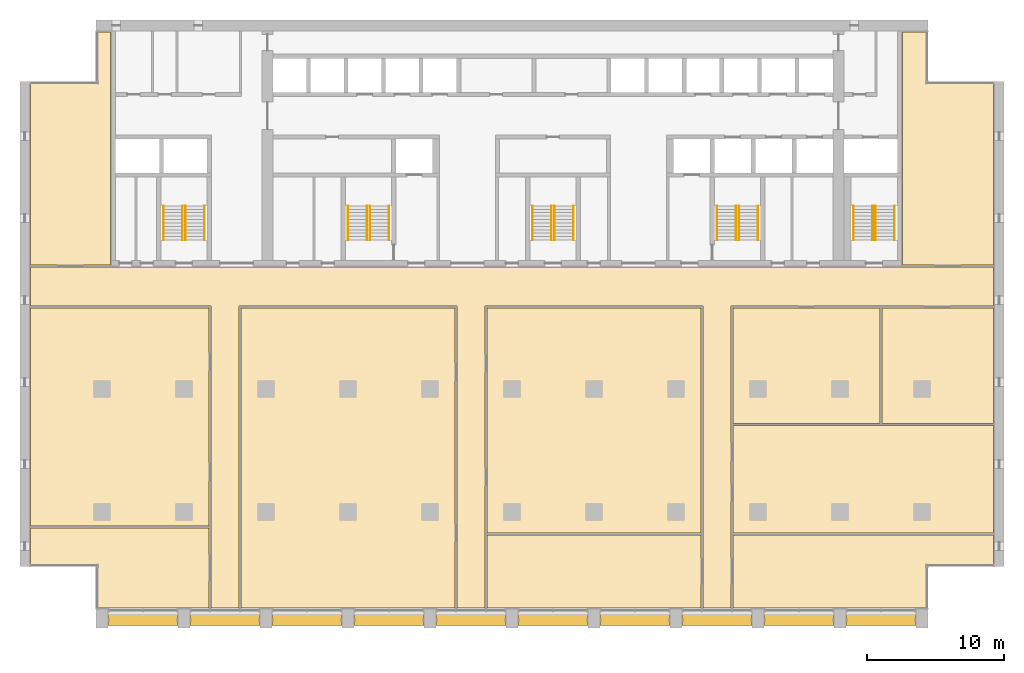
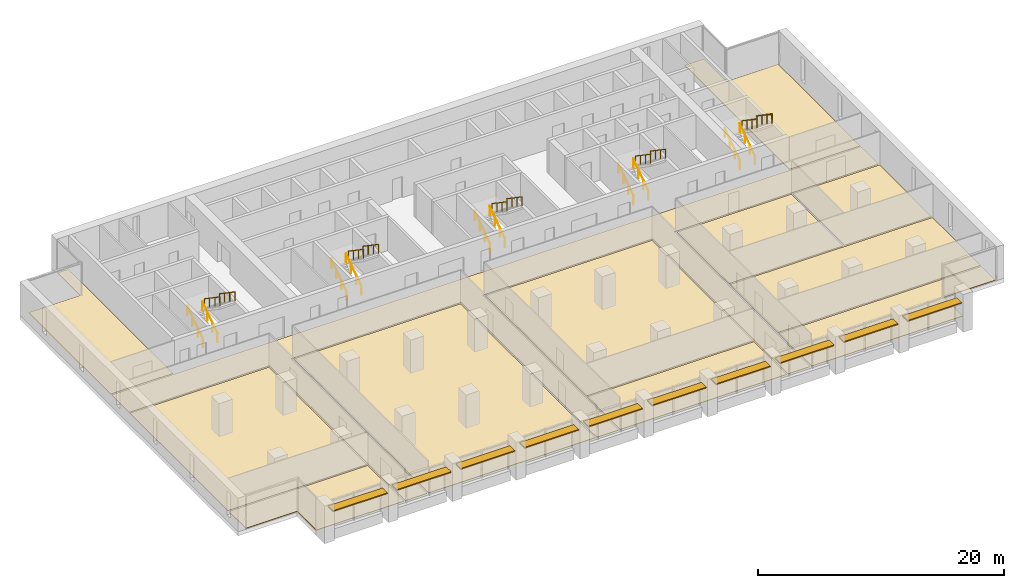
# One storey, part 16 of 16: 20 railings, 12 coverings, 10 shading devices, 5 elements without a shape of their own.
"""IFC4 building model written with IfcOpenShell, lengths in metres."""

import ifcopenshell
import ifcopenshell.guid

model = None  # the IFC model being written
_history = None  # IfcOwnerHistory: only IFC2X3 demands one
_inside = {}  # id of a spatial element -> (the spatial element, [elements in it])
_under = {}  # id of a project, library or spatial element -> (it, [spatial elements below it])
_declared = {}  # id of a project -> (the project, [libraries it declares])
_typed = {}  # id of a type object -> (the type object, [elements of that type])
_made_of = {}  # id of a material, layer set ... -> (it, [elements and type objects made of it])


def new_model(schema):
    """Start an empty IFC model of exactly this schema.

    Asked for "IFC4X3", IfcOpenShell would pick the latest addendum, in which some entities
    have other attributes; the version numbers below select the first issue.
    IFC2X3 requires an IfcOwnerHistory on every rooted entity: one is made here for all.
    """
    global model, _history
    if schema == "IFC4X3":
        model = ifcopenshell.file(schema_version=(4, 3, 0, 0))
    else:
        model = ifcopenshell.file(schema=schema)
    _inside.clear()
    _under.clear()
    _declared.clear()
    _typed.clear()
    _made_of.clear()
    _history = None
    if model.schema == "IFC2X3":
        org = make("IfcOrganization", Name="unknown")
        user = make(
            "IfcPersonAndOrganization",
            ThePerson=make("IfcPerson", FamilyName="unknown"),
            TheOrganization=org,
        )
        app = make(
            "IfcApplication",
            ApplicationDeveloper=org,
            Version="unknown",
            ApplicationFullName="unknown",
            ApplicationIdentifier="unknown",
        )
        _history = make(
            "IfcOwnerHistory",
            OwningUser=user,
            OwningApplication=app,
            ChangeAction="ADDED",
            CreationDate=0,
        )
    return model


def make(cls, **values):
    """One entity of the class cls with the attributes given. An attribute that is None is left unset."""
    return model.create_entity(
        cls, **{name: value for name, value in values.items() if value is not None}
    )


def rooted(cls, **values):
    """An entity with a GlobalId (a new one), such as an element, a storey or a relation."""
    return make(cls, GlobalId=ifcopenshell.guid.new(), OwnerHistory=_history, **values)


def si_unit(unit_type, name, prefix=None):
    """IfcSIUnit, for example si_unit("LENGTHUNIT", "METRE", prefix="MILLI")."""
    return make("IfcSIUnit", UnitType=unit_type, Prefix=prefix, Name=name)


def assignment(units):
    """IfcUnitAssignment: the units of a project."""
    return None if units is None else make("IfcUnitAssignment", Units=units)


def point(xyz):
    """IfcCartesianPoint."""
    return None if xyz is None else make("IfcCartesianPoint", Coordinates=xyz)


def direction(xyz):
    """IfcDirection."""
    return None if xyz is None else make("IfcDirection", DirectionRatios=xyz)


def frame(location, z_axis=None, x_axis=None):
    """IfcAxis2Placement3D, a coordinate frame: its origin and axes. An axis left out is left unset."""
    return make(
        "IfcAxis2Placement3D",
        Location=point(location),
        Axis=direction(z_axis),
        RefDirection=direction(x_axis),
    )


def frame_2d(location, x_axis=None):
    """IfcAxis2Placement2D, a coordinate frame in the plane: its origin and x axis."""
    return make(
        "IfcAxis2Placement2D", Location=point(location), RefDirection=direction(x_axis)
    )


def origin():
    """The frame at (0, 0, 0) with its axes left unset."""
    return frame((0.0, 0.0, 0.0))


def origin_2d():
    """The frame at (0, 0) in the plane with its x axis left unset."""
    return frame_2d((0.0, 0.0))


def place(relative_to, where):
    """IfcLocalPlacement: puts the frame where relative to a parent placement (None: the world)."""
    return make(
        "IfcLocalPlacement", PlacementRelTo=relative_to, RelativePlacement=where
    )


def context(
    kind, dimensions, precision=None, world=None, true_north=None, identifier=None
):
    """IfcGeometricRepresentationContext, for example the 3D "Model" context."""
    return make(
        "IfcGeometricRepresentationContext",
        ContextIdentifier=identifier,
        ContextType=kind,
        CoordinateSpaceDimension=dimensions,
        Precision=precision,
        WorldCoordinateSystem=world,
        TrueNorth=true_north,
    )


def subcontext(parent, identifier, kind, view, scale=None):
    """IfcGeometricRepresentationSubContext, for example "Body" below "Model"."""
    return make(
        "IfcGeometricRepresentationSubContext",
        ContextIdentifier=identifier,
        ContextType=kind,
        ParentContext=parent,
        TargetScale=scale,
        TargetView=view,
    )


def project(units=None, contexts=None):
    """IfcProject with its units and contexts."""
    return rooted(
        "IfcProject",
        Name="project",
        RepresentationContexts=contexts,
        UnitsInContext=assignment(units),
    )


def spatial(cls, under=None, at=None, **own):
    """A site, building, storey or space (cls), placed at a placement, below another one or the project."""
    s = rooted(cls, ObjectPlacement=at, **own)
    if under is not None:
        _under.setdefault(under.id(), (under, []))[1].append(s)
    return s


def polyline(points):
    """IfcPolyline through the points."""
    return make("IfcPolyline", Points=[point(p) for p in points])


def profile(cls, at=None, kind="AREA", **sizes):
    """A parametric profile (cls). Its sizes go by their IFC names, for example OverallWidth=200.0."""
    return make(cls, ProfileType=kind, Position=at, **sizes)


def rectangle(**sizes):
    """IfcRectangleProfileDef."""
    return profile("IfcRectangleProfileDef", **sizes)


def circle(**sizes):
    """IfcCircleProfileDef."""
    return profile("IfcCircleProfileDef", **sizes)


def outline(outer, holes=None, kind="AREA"):
    """IfcArbitraryClosedProfileDef: a profile drawn as a closed curve; with holes, ...WithVoids."""
    if holes is None:
        return make("IfcArbitraryClosedProfileDef", ProfileType=kind, OuterCurve=outer)
    return make(
        "IfcArbitraryProfileDefWithVoids",
        ProfileType=kind,
        OuterCurve=outer,
        InnerCurves=holes,
    )


def extrude(swept, where, along, depth):
    """IfcExtrudedAreaSolid: the profile swept, set in the frame where, extruded along a direction by depth."""
    return make(
        "IfcExtrudedAreaSolid",
        SweptArea=swept,
        Position=where,
        ExtrudedDirection=direction(along),
        Depth=depth,
    )


def shape(context_of_items, identifier, shape_type, items):
    """IfcShapeRepresentation: the items that make up one representation, for example the "Body"."""
    return make(
        "IfcShapeRepresentation",
        ContextOfItems=context_of_items,
        RepresentationIdentifier=identifier,
        RepresentationType=shape_type,
        Items=items,
    )


def material(Name=None, Category=None):
    """IfcMaterial."""
    return make("IfcMaterial", Name=Name, Category=Category)


def layer(
    of_material, thickness, ventilated=None, Name=None, Category=None, Priority=None
):
    """IfcMaterialLayer: one layer of a wall or slab, of a material (None: an air gap)."""
    return make(
        "IfcMaterialLayer",
        Material=of_material,
        LayerThickness=thickness,
        IsVentilated=ventilated,
        Name=Name,
        Category=Category,
        Priority=Priority,
    )


def layer_set(layers, Name=None):
    """IfcMaterialLayerSet."""
    return make("IfcMaterialLayerSet", MaterialLayers=layers, LayerSetName=Name)


def material_profile(
    of_material, cross_section, Name=None, Category=None, Priority=None
):
    """IfcMaterialProfile: a cross section and its material."""
    return make(
        "IfcMaterialProfile",
        Name=Name,
        Material=of_material,
        Profile=cross_section,
        Priority=Priority,
        Category=Category,
    )


def profile_set(profiles, Name=None, composite=None):
    """IfcMaterialProfileSet."""
    return make(
        "IfcMaterialProfileSet",
        Name=Name,
        MaterialProfiles=profiles,
        CompositeProfile=composite,
    )


def made_of(thing, what):
    """Note that an element or type object is made of a material, layer set ...; save() writes the relation."""
    if what is not None:
        _made_of.setdefault(what.id(), (what, []))[1].append(thing)
    return thing


def type_object(cls, material=None, **own):
    """A type object (cls), such as IfcWallType, which elements share."""
    return made_of(rooted(cls, **own), material)


def element(
    cls,
    number,
    at=None,
    inside=None,
    cuts=None,
    type_object=None,
    material=None,
    context=None,
    identifier="Body",
    shape_type=None,
    held_by="IfcProductDefinitionShape",
    body=None,
    shapes=None,
    **own,
):
    """One element of the class cls, such as IfcWall. Its Tag is "e" and its number.

    at: its placement. inside: the storey or other place that contains it. cuts: it is an
    opening in that element (IfcRelVoidsElement). A single representation is given by context,
    identifier, shape_type and body (its items); several are given by shapes. held_by: the class
    of the entity that holds the representations. save() writes the other relations.
    """
    e = rooted(cls, Tag="e%d" % number, ObjectPlacement=at, **own)
    if body is not None:
        shapes = [shape(context, identifier, shape_type, body)]
    if shapes is not None:
        e.Representation = make(held_by, Representations=shapes)
    if inside is not None:
        _inside.setdefault(inside.id(), (inside, []))[1].append(e)
    if cuts is not None:
        rooted(
            "IfcRelVoidsElement", RelatingBuildingElement=cuts, RelatedOpeningElement=e
        )
    if type_object is not None:
        _typed.setdefault(type_object.id(), (type_object, []))[1].append(e)
    return made_of(e, material)


def aggregate(whole, parts):
    """IfcRelAggregates: a whole, such as a stair, and the parts it consists of."""
    return rooted("IfcRelAggregates", RelatingObject=whole, RelatedObjects=parts)


def save(model, path):
    """Write the relations noted so far, then the file.

    IfcRelAggregates (storeys below a building ...), IfcRelContainedInSpatialStructure (elements
    in a storey), IfcRelDefinesByType, IfcRelAssociatesMaterial and IfcRelDeclares: one each for
    every whole, place, type object, material and project.
    """
    for whole, parts in _under.values():
        aggregate(whole, parts)
    for where, things in _inside.values():
        rooted(
            "IfcRelContainedInSpatialStructure",
            RelatedElements=things,
            RelatingStructure=where,
        )
    for kind, things in _typed.values():
        rooted("IfcRelDefinesByType", RelatedObjects=things, RelatingType=kind)
    for what, things in _made_of.values():
        rooted("IfcRelAssociatesMaterial", RelatedObjects=things, RelatingMaterial=what)
    for by, libraries in _declared.values():
        rooted("IfcRelDeclares", RelatingContext=by, RelatedDefinitions=libraries)
    model.write(path)


model = new_model("IFC4")

# Units and contexts
model_context = context("Model", 3, precision=1e-05, world=origin(), true_north=direction((0.0, 1.0)))
body_context = subcontext(model_context, "Body", "Model", "MODEL_VIEW")
ifc_project = project(units=[si_unit("LENGTHUNIT", "METRE"), si_unit("AREAUNIT", "SQUARE_METRE"), si_unit("VOLUMEUNIT", "CUBIC_METRE"), si_unit("PLANEANGLEUNIT", "RADIAN"), si_unit("MASSUNIT", "GRAM", prefix="KILO")], contexts=[model_context])

# Site, building, storey
site_placement = place(None, origin())
site = spatial("IfcSite", under=ifc_project, at=site_placement, CompositionType="ELEMENT")
building_placement = place(site_placement, origin())
building = spatial("IfcBuilding", under=site, at=building_placement, Name="Calvaro Tower", CompositionType="ELEMENT")
storey_placement = place(building_placement, frame((0.0, 0.0, 136.25)))
storey = spatial("IfcBuildingStorey", under=building, at=storey_placement, Name="L34", CompositionType="ELEMENT", Elevation=136.25)

# Shading devices
ifc_material_1 = material(Name="Anodised aluminium", Category="aluminium")
ifc_material_profile = material_profile(ifc_material_1, rectangle(XDim=0.800048828125, YDim=0.10009765625, at=origin_2d()), Name="Brise-soleil blade 800 x 100")
ifc_profile_set = profile_set([ifc_material_profile], Name="Anodised aluminium")
shading_device_type = type_object("IfcShadingDeviceType", Name="Brise-soleil blade 800 x 100", PredefinedType="JALOUSIE", material=ifc_profile_set)
for number, where, z_axis, x_axis, name in (
    (1, (6.449951171875, 2.10009765625, 2.39990234375), (1.0, 0.0, 0.0), (0.0, 1.0, 0.0), "Brise-soleil blade 1"),
    (2, (12.449951171875, 2.10009765625, 2.39990234375), (1.0, 0.0, 0.0), (0.0, 1.0, 0.0), "Brise-soleil blade 2"),
    (3, (18.449951171875, 2.10009765625, 2.39990234375), (1.0, 0.0, 0.0), (0.0, 1.0, 0.0), "Brise-soleil blade 3"),
    (4, (24.449951171875, 2.10009765625, 2.39990234375), (1.0, 0.0, 0.0), (0.0, 1.0, 0.0), "Brise-soleil blade 4"),
    (5, (30.449951171875, 2.10009765625, 2.39990234375), (1.0, 0.0, 0.0), (0.0, 1.0, 0.0), "Brise-soleil blade 5"),
    (6, (36.449951171875, 2.10009765625, 2.39990234375), (1.0, 0.0, 0.0), (0.0, 1.0, 0.0), "Brise-soleil blade 6"),
    (7, (42.449951171875, 2.10009765625, 2.39990234375), (1.0, 0.0, 0.0), (0.0, 1.0, 0.0), "Brise-soleil blade 7"),
    (8, (48.449951171875, 2.10009765625, 2.39990234375), (1.0, 0.0, 0.0), (0.0, 1.0, 0.0), "Brise-soleil blade 8"),
    (9, (54.449951171875, 2.10009765625, 2.39990234375), (1.0, 0.0, 0.0), (0.0, 1.0, 0.0), "Brise-soleil blade 9"),
    (10, (60.449951171875, 2.10009765625, 2.39990234375), (1.0, 0.0, 0.0), (0.0, 1.0, 0.0), "Brise-soleil blade 10"),
):
    element("IfcShadingDevice", number, at=place(storey_placement, frame(where, z_axis=z_axis, x_axis=x_axis)), inside=storey, type_object=shading_device_type, Name=name, PredefinedType="JALOUSIE", context=body_context, shape_type="SweptSolid", body=[
        extrude(rectangle(XDim=0.800048828125, YDim=0.10009765625, at=origin_2d()), origin(), (0.0, 0.0, 1.0), 5.10009765625),
    ])

# Coverings
ifc_material_2 = material(Name="Cement screed with carpet tile finish")
ifc_layer = layer(ifc_material_2, 0.050048828125)
ifc_layer_set = layer_set([ifc_layer], Name="Cement screed with carpet tile finish")
covering_type = type_object("IfcCoveringType", Name="Floor finish 50", PredefinedType="FLOORING", material=ifc_layer_set)
covering_1_placement = place(storey_placement, origin())
element("IfcCovering", 11, at=covering_1_placement, inside=storey, type_object=covering_type, Name="Floor finish 21.01", PredefinedType="FLOORING", context=body_context, shape_type="SweptSolid", body=[
    extrude(outline(polyline([(0.77001953125, 25.070068359375), (0.77001953125, 27.929931640625), (71.22998046875, 27.929931640625), (71.22998046875, 25.070068359375), (52.030029296875, 25.070068359375), (52.030029296875, 2.969970703125), (49.969970703125, 2.969970703125), (49.969970703125, 25.070068359375), (34.030029296875, 25.070068359375), (34.030029296875, 2.969970703125), (31.969970703125, 2.969970703125), (31.969970703125, 25.070068359375), (16.030029296875, 25.070068359375), (16.030029296875, 2.969970703125), (13.969970703125, 2.969970703125), (13.969970703125, 25.070068359375), (0.77001953125, 25.070068359375)])), origin(), (0.0, 0.0, 1.0), 0.050048828125),
])
covering_2_placement = place(storey_placement, origin())
element("IfcCovering", 12, at=covering_2_placement, inside=storey, type_object=covering_type, Name="Floor finish 21.04", PredefinedType="FLOORING", context=body_context, shape_type="SweptSolid", body=[
    extrude(outline(polyline([(13.830078125, 8.830078125), (13.830078125, 2.969970703125), (5.6201171875, 2.969970703125), (5.6201171875, 6.070068359375), (0.77001953125, 6.070068359375), (0.77001953125, 8.830078125), (13.830078125, 8.830078125)])), origin(), (0.0, 0.0, 1.0), 0.050048828125),
])
covering_3_placement = place(storey_placement, origin())
element("IfcCovering", 13, at=covering_3_placement, inside=storey, type_object=covering_type, Name="Floor finish 21.08", PredefinedType="FLOORING", context=body_context, shape_type="SweptSolid", body=[
    extrude(outline(polyline([(13.830078125, 24.929931640625), (13.830078125, 8.969970703125), (0.77001953125, 8.969970703125), (0.77001953125, 24.929931640625), (13.830078125, 24.929931640625)])), origin(), (0.0, 0.0, 1.0), 0.050048828125),
])
covering_4_placement = place(storey_placement, origin())
element("IfcCovering", 14, at=covering_4_placement, inside=storey, type_object=covering_type, Name="Floor finish 21.06", PredefinedType="FLOORING", context=body_context, shape_type="SweptSolid", body=[
    extrude(outline(polyline([(16.169921875, 24.929931640625), (31.830078125, 24.929931640625), (31.830078125, 2.969970703125), (16.169921875, 2.969970703125), (16.169921875, 24.929931640625)])), origin(), (0.0, 0.0, 1.0), 0.050048828125),
])
covering_5_placement = place(storey_placement, origin())
element("IfcCovering", 15, at=covering_5_placement, inside=storey, type_object=covering_type, Name="Floor finish 21.02", PredefinedType="FLOORING", context=body_context, shape_type="SweptSolid", body=[
    extrude(outline(polyline([(34.169921875, 8.330078125), (49.830078125, 8.330078125), (49.830078125, 2.969970703125), (34.169921875, 2.969970703125), (34.169921875, 8.330078125)])), origin(), (0.0, 0.0, 1.0), 0.050048828125),
])
covering_6_placement = place(storey_placement, origin())
element("IfcCovering", 16, at=covering_6_placement, inside=storey, type_object=covering_type, Name="Floor finish 21.07", PredefinedType="FLOORING", context=body_context, shape_type="SweptSolid", body=[
    extrude(outline(polyline([(34.169921875, 8.469970703125), (34.169921875, 24.929931640625), (49.830078125, 24.929931640625), (49.830078125, 8.469970703125), (34.169921875, 8.469970703125)])), origin(), (0.0, 0.0, 1.0), 0.050048828125),
])
covering_7_placement = place(storey_placement, origin())
element("IfcCovering", 17, at=covering_7_placement, inside=storey, type_object=covering_type, Name="Floor finish 21.03", PredefinedType="FLOORING", context=body_context, shape_type="SweptSolid", body=[
    extrude(outline(polyline([(71.22998046875, 6.070068359375), (66.3798828125, 6.070068359375), (66.3798828125, 2.969970703125), (52.169921875, 2.969970703125), (52.169921875, 8.330078125), (71.22998046875, 8.330078125), (71.22998046875, 6.070068359375)])), origin(), (0.0, 0.0, 1.0), 0.050048828125),
])
covering_8_placement = place(storey_placement, origin())
element("IfcCovering", 18, at=covering_8_placement, inside=storey, type_object=covering_type, Name="Floor finish 21.05", PredefinedType="FLOORING", context=body_context, shape_type="SweptSolid", body=[
    extrude(outline(polyline([(71.22998046875, 8.469970703125), (52.169921875, 8.469970703125), (52.169921875, 16.330078125), (71.22998046875, 16.330078125), (71.22998046875, 8.469970703125)])), origin(), (0.0, 0.0, 1.0), 0.050048828125),
])
covering_9_placement = place(storey_placement, origin())
element("IfcCovering", 19, at=covering_9_placement, inside=storey, type_object=covering_type, Name="Floor finish 21.09", PredefinedType="FLOORING", context=body_context, shape_type="SweptSolid", body=[
    extrude(outline(polyline([(52.169921875, 16.469970703125), (52.169921875, 24.929931640625), (62.929931640625, 24.929931640625), (62.929931640625, 16.469970703125), (52.169921875, 16.469970703125)])), origin(), (0.0, 0.0, 1.0), 0.050048828125),
])
covering_10_placement = place(storey_placement, origin())
element("IfcCovering", 20, at=covering_10_placement, inside=storey, type_object=covering_type, Name="Floor finish 21.10", PredefinedType="FLOORING", context=body_context, shape_type="SweptSolid", body=[
    extrude(outline(polyline([(71.22998046875, 16.469970703125), (63.070068359375, 16.469970703125), (63.070068359375, 24.929931640625), (71.22998046875, 24.929931640625), (71.22998046875, 16.469970703125)])), origin(), (0.0, 0.0, 1.0), 0.050048828125),
])
covering_11_placement = place(storey_placement, origin())
element("IfcCovering", 21, at=covering_11_placement, inside=storey, type_object=covering_type, Name="Floor finish 21.11", PredefinedType="FLOORING", context=body_context, shape_type="SweptSolid", body=[
    extrude(outline(polyline([(6.6298828125, 28.070068359375), (0.77001953125, 28.070068359375), (0.77001953125, 41.429931640625), (5.6201171875, 41.429931640625), (5.6201171875, 45.1298828125), (6.6298828125, 45.1298828125), (6.6298828125, 28.070068359375)])), origin(), (0.0, 0.0, 1.0), 0.050048828125),
])
covering_12_placement = place(storey_placement, origin())
element("IfcCovering", 22, at=covering_12_placement, inside=storey, type_object=covering_type, Name="Floor finish 21.12", PredefinedType="FLOORING", context=body_context, shape_type="SweptSolid", body=[
    extrude(outline(polyline([(71.22998046875, 28.070068359375), (64.570068359375, 28.070068359375), (64.570068359375, 45.1298828125), (66.3798828125, 45.1298828125), (66.3798828125, 41.429931640625), (71.22998046875, 41.429931640625), (71.22998046875, 28.070068359375)])), origin(), (0.0, 0.0, 1.0), 0.050048828125),
])

# Stair, railings
ifc_material_3 = material(Name="Concrete C40/50", Category="concrete")
stair_type = type_object("IfcStairType", Name="Exit stair 1400 2 flights", PredefinedType="HALF_TURN_STAIR", material=ifc_material_3)
stair_1_placement = place(storey_placement, origin())
stair_1 = element("IfcStair", 23, at=stair_1_placement, inside=storey, type_object=stair_type, Name="Exit stair S1", PredefinedType="HALF_TURN_STAIR")
ifc_material_4 = material(Name="Stainless steel", Category="steel")
railing_type = type_object("IfcRailingType", Name="Stair handrail", PredefinedType="HANDRAIL", material=ifc_material_4)
railing_1_placement = place(storey_placement, frame((11.89990234375, 29.89990234375, 0.17041015625)))
railing_1 = element("IfcRailing", 24, at=railing_1_placement, type_object=railing_type, Name="Exit stair 1 handrail", PredefinedType="HANDRAIL", context=body_context, shape_type="SweptSolid", body=[
    extrude(circle(Radius=0.02392578125, at=origin_2d()), frame((0.0, 0.0, 0.8759765625), z_axis=(0.0, 0.826220514629, 0.563346839174), x_axis=(-1.0, 0.0, 0.0)), (0.0, 0.0, 1.0), 3.02587890625),
    extrude(circle(Radius=0.02099609375, at=origin_2d()), frame((0.0, 0.017333984375, 0.01171875)), (0.0, 0.0, 1.0), 0.851806640625),
    extrude(circle(Radius=0.02099609375, at=origin_2d()), frame((0.0, 0.833251953125, 0.568115234375)), (0.0, 0.0, 1.0), 0.851806640625),
    extrude(circle(Radius=0.02099609375, at=origin_2d()), frame((0.0, 1.666748046875, 1.136474609375)), (0.0, 0.0, 1.0), 0.851806640625),
    extrude(circle(Radius=0.02099609375, at=origin_2d()), frame((0.0, 2.482666015625, 1.69287109375)), (0.0, 0.0, 1.0), 0.851806640625),
])
railing_2_placement = place(storey_placement, frame((10.5, 29.89990234375, 0.17041015625)))
railing_2 = element("IfcRailing", 25, at=railing_2_placement, type_object=railing_type, Name="Exit stair 1 handrail", PredefinedType="HANDRAIL", context=body_context, shape_type="SweptSolid", body=[
    extrude(circle(Radius=0.02392578125, at=origin_2d()), frame((0.0, 0.0, 0.8759765625), z_axis=(0.0, 0.826220514629, 0.563346839174), x_axis=(-1.0, 0.0, 0.0)), (0.0, 0.0, 1.0), 3.02587890625),
    extrude(circle(Radius=0.02099609375, at=origin_2d()), frame((0.0, 0.017333984375, 0.01171875)), (0.0, 0.0, 1.0), 0.851806640625),
    extrude(circle(Radius=0.02099609375, at=origin_2d()), frame((0.0, 0.833251953125, 0.568115234375)), (0.0, 0.0, 1.0), 0.851806640625),
    extrude(circle(Radius=0.02099609375, at=origin_2d()), frame((0.0, 1.666748046875, 1.136474609375)), (0.0, 0.0, 1.0), 0.851806640625),
    extrude(circle(Radius=0.02099609375, at=origin_2d()), frame((0.0, 2.482666015625, 1.69287109375)), (0.0, 0.0, 1.0), 0.851806640625),
])
railing_3_placement = place(storey_placement, frame((12.10009765625, 32.39990234375, 2.04541015625)))
railing_3 = element("IfcRailing", 26, at=railing_3_placement, type_object=railing_type, Name="Exit stair 1 handrail", PredefinedType="HANDRAIL", context=body_context, shape_type="SweptSolid", body=[
    extrude(circle(Radius=0.02392578125, at=origin_2d()), frame((0.0, 0.0, 0.8759765625), z_axis=(0.0, -0.826220514629, 0.563346839174), x_axis=(1.0, 0.0, 0.0)), (0.0, 0.0, 1.0), 3.02587890625),
    extrude(circle(Radius=0.02099609375, at=origin_2d()), frame((0.0, -0.017333984375, 0.01171875)), (0.0, 0.0, 1.0), 0.851806640625),
    extrude(circle(Radius=0.02099609375, at=origin_2d()), frame((0.0, -0.833251953125, 0.568115234375)), (0.0, 0.0, 1.0), 0.851806640625),
    extrude(circle(Radius=0.02099609375, at=origin_2d()), frame((0.0, -1.666748046875, 1.136474609375)), (0.0, 0.0, 1.0), 0.851806640625),
    extrude(circle(Radius=0.02099609375, at=origin_2d()), frame((0.0, -2.482666015625, 1.69287109375)), (0.0, 0.0, 1.0), 0.851806640625),
])
railing_4_placement = place(storey_placement, frame((13.5, 32.39990234375, 2.04541015625)))
railing_4 = element("IfcRailing", 27, at=railing_4_placement, type_object=railing_type, Name="Exit stair 1 handrail", PredefinedType="HANDRAIL", context=body_context, shape_type="SweptSolid", body=[
    extrude(circle(Radius=0.02392578125, at=origin_2d()), frame((0.0, 0.0, 0.8759765625), z_axis=(0.0, -0.826220514629, 0.563346839174), x_axis=(1.0, 0.0, 0.0)), (0.0, 0.0, 1.0), 3.02587890625),
    extrude(circle(Radius=0.02099609375, at=origin_2d()), frame((0.0, -0.017333984375, 0.01171875)), (0.0, 0.0, 1.0), 0.851806640625),
    extrude(circle(Radius=0.02099609375, at=origin_2d()), frame((0.0, -0.833251953125, 0.568115234375)), (0.0, 0.0, 1.0), 0.851806640625),
    extrude(circle(Radius=0.02099609375, at=origin_2d()), frame((0.0, -1.666748046875, 1.136474609375)), (0.0, 0.0, 1.0), 0.851806640625),
    extrude(circle(Radius=0.02099609375, at=origin_2d()), frame((0.0, -2.482666015625, 1.69287109375)), (0.0, 0.0, 1.0), 0.851806640625),
])
aggregate(stair_1, [railing_1, railing_2, railing_3, railing_4])

stair_2_placement = place(storey_placement, origin())
stair_2 = element("IfcStair", 28, at=stair_2_placement, inside=storey, type_object=stair_type, Name="Exit stair S2", PredefinedType="HALF_TURN_STAIR")
railing_5_placement = place(storey_placement, frame((25.39990234375, 29.89990234375, 0.17041015625)))
railing_5 = element("IfcRailing", 29, at=railing_5_placement, type_object=railing_type, Name="Exit stair 2 handrail", PredefinedType="HANDRAIL", context=body_context, shape_type="SweptSolid", body=[
    extrude(circle(Radius=0.02392578125, at=origin_2d()), frame((0.0, 0.0, 0.8759765625), z_axis=(0.0, 0.826220514629, 0.563346839174), x_axis=(-1.0, 0.0, 0.0)), (0.0, 0.0, 1.0), 3.02587890625),
    extrude(circle(Radius=0.02099609375, at=origin_2d()), frame((0.0, 0.017333984375, 0.01171875)), (0.0, 0.0, 1.0), 0.851806640625),
    extrude(circle(Radius=0.02099609375, at=origin_2d()), frame((0.0, 0.833251953125, 0.568115234375)), (0.0, 0.0, 1.0), 0.851806640625),
    extrude(circle(Radius=0.02099609375, at=origin_2d()), frame((0.0, 1.666748046875, 1.136474609375)), (0.0, 0.0, 1.0), 0.851806640625),
    extrude(circle(Radius=0.02099609375, at=origin_2d()), frame((0.0, 2.482666015625, 1.69287109375)), (0.0, 0.0, 1.0), 0.851806640625),
])
railing_6_placement = place(storey_placement, frame((24.0, 29.89990234375, 0.17041015625)))
railing_6 = element("IfcRailing", 30, at=railing_6_placement, type_object=railing_type, Name="Exit stair 2 handrail", PredefinedType="HANDRAIL", context=body_context, shape_type="SweptSolid", body=[
    extrude(circle(Radius=0.02392578125, at=origin_2d()), frame((0.0, 0.0, 0.8759765625), z_axis=(0.0, 0.826220514629, 0.563346839174), x_axis=(-1.0, 0.0, 0.0)), (0.0, 0.0, 1.0), 3.02587890625),
    extrude(circle(Radius=0.02099609375, at=origin_2d()), frame((0.0, 0.017333984375, 0.01171875)), (0.0, 0.0, 1.0), 0.851806640625),
    extrude(circle(Radius=0.02099609375, at=origin_2d()), frame((0.0, 0.833251953125, 0.568115234375)), (0.0, 0.0, 1.0), 0.851806640625),
    extrude(circle(Radius=0.02099609375, at=origin_2d()), frame((0.0, 1.666748046875, 1.136474609375)), (0.0, 0.0, 1.0), 0.851806640625),
    extrude(circle(Radius=0.02099609375, at=origin_2d()), frame((0.0, 2.482666015625, 1.69287109375)), (0.0, 0.0, 1.0), 0.851806640625),
])
railing_7_placement = place(storey_placement, frame((25.60009765625, 32.39990234375, 2.04541015625)))
railing_7 = element("IfcRailing", 31, at=railing_7_placement, type_object=railing_type, Name="Exit stair 2 handrail", PredefinedType="HANDRAIL", context=body_context, shape_type="SweptSolid", body=[
    extrude(circle(Radius=0.02392578125, at=origin_2d()), frame((0.0, 0.0, 0.8759765625), z_axis=(0.0, -0.826220514629, 0.563346839174), x_axis=(1.0, 0.0, 0.0)), (0.0, 0.0, 1.0), 3.02587890625),
    extrude(circle(Radius=0.02099609375, at=origin_2d()), frame((0.0, -0.017333984375, 0.01171875)), (0.0, 0.0, 1.0), 0.851806640625),
    extrude(circle(Radius=0.02099609375, at=origin_2d()), frame((0.0, -0.833251953125, 0.568115234375)), (0.0, 0.0, 1.0), 0.851806640625),
    extrude(circle(Radius=0.02099609375, at=origin_2d()), frame((0.0, -1.666748046875, 1.136474609375)), (0.0, 0.0, 1.0), 0.851806640625),
    extrude(circle(Radius=0.02099609375, at=origin_2d()), frame((0.0, -2.482666015625, 1.69287109375)), (0.0, 0.0, 1.0), 0.851806640625),
])
railing_8_placement = place(storey_placement, frame((27.0, 32.39990234375, 2.04541015625)))
railing_8 = element("IfcRailing", 32, at=railing_8_placement, type_object=railing_type, Name="Exit stair 2 handrail", PredefinedType="HANDRAIL", context=body_context, shape_type="SweptSolid", body=[
    extrude(circle(Radius=0.02392578125, at=origin_2d()), frame((0.0, 0.0, 0.8759765625), z_axis=(0.0, -0.826220514629, 0.563346839174), x_axis=(1.0, 0.0, 0.0)), (0.0, 0.0, 1.0), 3.02587890625),
    extrude(circle(Radius=0.02099609375, at=origin_2d()), frame((0.0, -0.017333984375, 0.01171875)), (0.0, 0.0, 1.0), 0.851806640625),
    extrude(circle(Radius=0.02099609375, at=origin_2d()), frame((0.0, -0.833251953125, 0.568115234375)), (0.0, 0.0, 1.0), 0.851806640625),
    extrude(circle(Radius=0.02099609375, at=origin_2d()), frame((0.0, -1.666748046875, 1.136474609375)), (0.0, 0.0, 1.0), 0.851806640625),
    extrude(circle(Radius=0.02099609375, at=origin_2d()), frame((0.0, -2.482666015625, 1.69287109375)), (0.0, 0.0, 1.0), 0.851806640625),
])
aggregate(stair_2, [railing_5, railing_6, railing_7, railing_8])

stair_3_placement = place(storey_placement, origin())
stair_3 = element("IfcStair", 33, at=stair_3_placement, inside=storey, type_object=stair_type, Name="Exit stair S3", PredefinedType="HALF_TURN_STAIR")
railing_9_placement = place(storey_placement, frame((38.89990234375, 29.89990234375, 0.17041015625)))
railing_9 = element("IfcRailing", 34, at=railing_9_placement, type_object=railing_type, Name="Exit stair 3 handrail", PredefinedType="HANDRAIL", context=body_context, shape_type="SweptSolid", body=[
    extrude(circle(Radius=0.02392578125, at=origin_2d()), frame((0.0, 0.0, 0.8759765625), z_axis=(0.0, 0.826220514629, 0.563346839174), x_axis=(-1.0, 0.0, 0.0)), (0.0, 0.0, 1.0), 3.02587890625),
    extrude(circle(Radius=0.02099609375, at=origin_2d()), frame((0.0, 0.017333984375, 0.01171875)), (0.0, 0.0, 1.0), 0.851806640625),
    extrude(circle(Radius=0.02099609375, at=origin_2d()), frame((0.0, 0.833251953125, 0.568115234375)), (0.0, 0.0, 1.0), 0.851806640625),
    extrude(circle(Radius=0.02099609375, at=origin_2d()), frame((0.0, 1.666748046875, 1.136474609375)), (0.0, 0.0, 1.0), 0.851806640625),
    extrude(circle(Radius=0.02099609375, at=origin_2d()), frame((0.0, 2.482666015625, 1.69287109375)), (0.0, 0.0, 1.0), 0.851806640625),
])
railing_10_placement = place(storey_placement, frame((37.5, 29.89990234375, 0.17041015625)))
railing_10 = element("IfcRailing", 35, at=railing_10_placement, type_object=railing_type, Name="Exit stair 3 handrail", PredefinedType="HANDRAIL", context=body_context, shape_type="SweptSolid", body=[
    extrude(circle(Radius=0.02392578125, at=origin_2d()), frame((0.0, 0.0, 0.8759765625), z_axis=(0.0, 0.826220514629, 0.563346839174), x_axis=(-1.0, 0.0, 0.0)), (0.0, 0.0, 1.0), 3.02587890625),
    extrude(circle(Radius=0.02099609375, at=origin_2d()), frame((0.0, 0.017333984375, 0.01171875)), (0.0, 0.0, 1.0), 0.851806640625),
    extrude(circle(Radius=0.02099609375, at=origin_2d()), frame((0.0, 0.833251953125, 0.568115234375)), (0.0, 0.0, 1.0), 0.851806640625),
    extrude(circle(Radius=0.02099609375, at=origin_2d()), frame((0.0, 1.666748046875, 1.136474609375)), (0.0, 0.0, 1.0), 0.851806640625),
    extrude(circle(Radius=0.02099609375, at=origin_2d()), frame((0.0, 2.482666015625, 1.69287109375)), (0.0, 0.0, 1.0), 0.851806640625),
])
railing_11_placement = place(storey_placement, frame((39.10009765625, 32.39990234375, 2.04541015625)))
railing_11 = element("IfcRailing", 36, at=railing_11_placement, type_object=railing_type, Name="Exit stair 3 handrail", PredefinedType="HANDRAIL", context=body_context, shape_type="SweptSolid", body=[
    extrude(circle(Radius=0.02392578125, at=origin_2d()), frame((0.0, 0.0, 0.8759765625), z_axis=(0.0, -0.826220514629, 0.563346839174), x_axis=(1.0, 0.0, 0.0)), (0.0, 0.0, 1.0), 3.02587890625),
    extrude(circle(Radius=0.02099609375, at=origin_2d()), frame((0.0, -0.017333984375, 0.01171875)), (0.0, 0.0, 1.0), 0.851806640625),
    extrude(circle(Radius=0.02099609375, at=origin_2d()), frame((0.0, -0.833251953125, 0.568115234375)), (0.0, 0.0, 1.0), 0.851806640625),
    extrude(circle(Radius=0.02099609375, at=origin_2d()), frame((0.0, -1.666748046875, 1.136474609375)), (0.0, 0.0, 1.0), 0.851806640625),
    extrude(circle(Radius=0.02099609375, at=origin_2d()), frame((0.0, -2.482666015625, 1.69287109375)), (0.0, 0.0, 1.0), 0.851806640625),
])
railing_12_placement = place(storey_placement, frame((40.5, 32.39990234375, 2.04541015625)))
railing_12 = element("IfcRailing", 37, at=railing_12_placement, type_object=railing_type, Name="Exit stair 3 handrail", PredefinedType="HANDRAIL", context=body_context, shape_type="SweptSolid", body=[
    extrude(circle(Radius=0.02392578125, at=origin_2d()), frame((0.0, 0.0, 0.8759765625), z_axis=(0.0, -0.826220514629, 0.563346839174), x_axis=(1.0, 0.0, 0.0)), (0.0, 0.0, 1.0), 3.02587890625),
    extrude(circle(Radius=0.02099609375, at=origin_2d()), frame((0.0, -0.017333984375, 0.01171875)), (0.0, 0.0, 1.0), 0.851806640625),
    extrude(circle(Radius=0.02099609375, at=origin_2d()), frame((0.0, -0.833251953125, 0.568115234375)), (0.0, 0.0, 1.0), 0.851806640625),
    extrude(circle(Radius=0.02099609375, at=origin_2d()), frame((0.0, -1.666748046875, 1.136474609375)), (0.0, 0.0, 1.0), 0.851806640625),
    extrude(circle(Radius=0.02099609375, at=origin_2d()), frame((0.0, -2.482666015625, 1.69287109375)), (0.0, 0.0, 1.0), 0.851806640625),
])
aggregate(stair_3, [railing_9, railing_10, railing_11, railing_12])

stair_4_placement = place(storey_placement, origin())
stair_4 = element("IfcStair", 38, at=stair_4_placement, inside=storey, type_object=stair_type, Name="Exit stair S4", PredefinedType="HALF_TURN_STAIR")
railing_13_placement = place(storey_placement, frame((52.39990234375, 29.89990234375, 0.17041015625)))
railing_13 = element("IfcRailing", 39, at=railing_13_placement, type_object=railing_type, Name="Exit stair 4 handrail", PredefinedType="HANDRAIL", context=body_context, shape_type="SweptSolid", body=[
    extrude(circle(Radius=0.02392578125, at=origin_2d()), frame((0.0, 0.0, 0.8759765625), z_axis=(0.0, 0.826220514629, 0.563346839174), x_axis=(-1.0, 0.0, 0.0)), (0.0, 0.0, 1.0), 3.02587890625),
    extrude(circle(Radius=0.02099609375, at=origin_2d()), frame((0.0, 0.017333984375, 0.01171875)), (0.0, 0.0, 1.0), 0.851806640625),
    extrude(circle(Radius=0.02099609375, at=origin_2d()), frame((0.0, 0.833251953125, 0.568115234375)), (0.0, 0.0, 1.0), 0.851806640625),
    extrude(circle(Radius=0.02099609375, at=origin_2d()), frame((0.0, 1.666748046875, 1.136474609375)), (0.0, 0.0, 1.0), 0.851806640625),
    extrude(circle(Radius=0.02099609375, at=origin_2d()), frame((0.0, 2.482666015625, 1.69287109375)), (0.0, 0.0, 1.0), 0.851806640625),
])
railing_14_placement = place(storey_placement, frame((51.0, 29.89990234375, 0.17041015625)))
railing_14 = element("IfcRailing", 40, at=railing_14_placement, type_object=railing_type, Name="Exit stair 4 handrail", PredefinedType="HANDRAIL", context=body_context, shape_type="SweptSolid", body=[
    extrude(circle(Radius=0.02392578125, at=origin_2d()), frame((0.0, 0.0, 0.8759765625), z_axis=(0.0, 0.826220514629, 0.563346839174), x_axis=(-1.0, 0.0, 0.0)), (0.0, 0.0, 1.0), 3.02587890625),
    extrude(circle(Radius=0.02099609375, at=origin_2d()), frame((0.0, 0.017333984375, 0.01171875)), (0.0, 0.0, 1.0), 0.851806640625),
    extrude(circle(Radius=0.02099609375, at=origin_2d()), frame((0.0, 0.833251953125, 0.568115234375)), (0.0, 0.0, 1.0), 0.851806640625),
    extrude(circle(Radius=0.02099609375, at=origin_2d()), frame((0.0, 1.666748046875, 1.136474609375)), (0.0, 0.0, 1.0), 0.851806640625),
    extrude(circle(Radius=0.02099609375, at=origin_2d()), frame((0.0, 2.482666015625, 1.69287109375)), (0.0, 0.0, 1.0), 0.851806640625),
])
railing_15_placement = place(storey_placement, frame((52.60009765625, 32.39990234375, 2.04541015625)))
railing_15 = element("IfcRailing", 41, at=railing_15_placement, type_object=railing_type, Name="Exit stair 4 handrail", PredefinedType="HANDRAIL", context=body_context, shape_type="SweptSolid", body=[
    extrude(circle(Radius=0.02392578125, at=origin_2d()), frame((0.0, 0.0, 0.8759765625), z_axis=(0.0, -0.826220514629, 0.563346839174), x_axis=(1.0, 0.0, 0.0)), (0.0, 0.0, 1.0), 3.02587890625),
    extrude(circle(Radius=0.02099609375, at=origin_2d()), frame((0.0, -0.017333984375, 0.01171875)), (0.0, 0.0, 1.0), 0.851806640625),
    extrude(circle(Radius=0.02099609375, at=origin_2d()), frame((0.0, -0.833251953125, 0.568115234375)), (0.0, 0.0, 1.0), 0.851806640625),
    extrude(circle(Radius=0.02099609375, at=origin_2d()), frame((0.0, -1.666748046875, 1.136474609375)), (0.0, 0.0, 1.0), 0.851806640625),
    extrude(circle(Radius=0.02099609375, at=origin_2d()), frame((0.0, -2.482666015625, 1.69287109375)), (0.0, 0.0, 1.0), 0.851806640625),
])
railing_16_placement = place(storey_placement, frame((54.0, 32.39990234375, 2.04541015625)))
railing_16 = element("IfcRailing", 42, at=railing_16_placement, type_object=railing_type, Name="Exit stair 4 handrail", PredefinedType="HANDRAIL", context=body_context, shape_type="SweptSolid", body=[
    extrude(circle(Radius=0.02392578125, at=origin_2d()), frame((0.0, 0.0, 0.8759765625), z_axis=(0.0, -0.826220514629, 0.563346839174), x_axis=(1.0, 0.0, 0.0)), (0.0, 0.0, 1.0), 3.02587890625),
    extrude(circle(Radius=0.02099609375, at=origin_2d()), frame((0.0, -0.017333984375, 0.01171875)), (0.0, 0.0, 1.0), 0.851806640625),
    extrude(circle(Radius=0.02099609375, at=origin_2d()), frame((0.0, -0.833251953125, 0.568115234375)), (0.0, 0.0, 1.0), 0.851806640625),
    extrude(circle(Radius=0.02099609375, at=origin_2d()), frame((0.0, -1.666748046875, 1.136474609375)), (0.0, 0.0, 1.0), 0.851806640625),
    extrude(circle(Radius=0.02099609375, at=origin_2d()), frame((0.0, -2.482666015625, 1.69287109375)), (0.0, 0.0, 1.0), 0.851806640625),
])
aggregate(stair_4, [railing_13, railing_14, railing_15, railing_16])

stair_5_placement = place(storey_placement, origin())
stair_5 = element("IfcStair", 43, at=stair_5_placement, inside=storey, type_object=stair_type, Name="Exit stair S5", PredefinedType="HALF_TURN_STAIR")
railing_17_placement = place(storey_placement, frame((62.39990234375, 29.89990234375, 0.17041015625)))
railing_17 = element("IfcRailing", 44, at=railing_17_placement, type_object=railing_type, Name="Exit stair 5 handrail", PredefinedType="HANDRAIL", context=body_context, shape_type="SweptSolid", body=[
    extrude(circle(Radius=0.02392578125, at=origin_2d()), frame((0.0, 0.0, 0.8759765625), z_axis=(0.0, 0.826220514629, 0.563346839174), x_axis=(-1.0, 0.0, 0.0)), (0.0, 0.0, 1.0), 3.02587890625),
    extrude(circle(Radius=0.02099609375, at=origin_2d()), frame((0.0, 0.017333984375, 0.01171875)), (0.0, 0.0, 1.0), 0.851806640625),
    extrude(circle(Radius=0.02099609375, at=origin_2d()), frame((0.0, 0.833251953125, 0.568115234375)), (0.0, 0.0, 1.0), 0.851806640625),
    extrude(circle(Radius=0.02099609375, at=origin_2d()), frame((0.0, 1.666748046875, 1.136474609375)), (0.0, 0.0, 1.0), 0.851806640625),
    extrude(circle(Radius=0.02099609375, at=origin_2d()), frame((0.0, 2.482666015625, 1.69287109375)), (0.0, 0.0, 1.0), 0.851806640625),
])
railing_18_placement = place(storey_placement, frame((61.0, 29.89990234375, 0.17041015625)))
railing_18 = element("IfcRailing", 45, at=railing_18_placement, type_object=railing_type, Name="Exit stair 5 handrail", PredefinedType="HANDRAIL", context=body_context, shape_type="SweptSolid", body=[
    extrude(circle(Radius=0.02392578125, at=origin_2d()), frame((0.0, 0.0, 0.8759765625), z_axis=(0.0, 0.826220514629, 0.563346839174), x_axis=(-1.0, 0.0, 0.0)), (0.0, 0.0, 1.0), 3.02587890625),
    extrude(circle(Radius=0.02099609375, at=origin_2d()), frame((0.0, 0.017333984375, 0.01171875)), (0.0, 0.0, 1.0), 0.851806640625),
    extrude(circle(Radius=0.02099609375, at=origin_2d()), frame((0.0, 0.833251953125, 0.568115234375)), (0.0, 0.0, 1.0), 0.851806640625),
    extrude(circle(Radius=0.02099609375, at=origin_2d()), frame((0.0, 1.666748046875, 1.136474609375)), (0.0, 0.0, 1.0), 0.851806640625),
    extrude(circle(Radius=0.02099609375, at=origin_2d()), frame((0.0, 2.482666015625, 1.69287109375)), (0.0, 0.0, 1.0), 0.851806640625),
])
railing_19_placement = place(storey_placement, frame((62.60009765625, 32.39990234375, 2.04541015625)))
railing_19 = element("IfcRailing", 46, at=railing_19_placement, type_object=railing_type, Name="Exit stair 5 handrail", PredefinedType="HANDRAIL", context=body_context, shape_type="SweptSolid", body=[
    extrude(circle(Radius=0.02392578125, at=origin_2d()), frame((0.0, 0.0, 0.8759765625), z_axis=(0.0, -0.826220514629, 0.563346839174), x_axis=(1.0, 0.0, 0.0)), (0.0, 0.0, 1.0), 3.02587890625),
    extrude(circle(Radius=0.02099609375, at=origin_2d()), frame((0.0, -0.017333984375, 0.01171875)), (0.0, 0.0, 1.0), 0.851806640625),
    extrude(circle(Radius=0.02099609375, at=origin_2d()), frame((0.0, -0.833251953125, 0.568115234375)), (0.0, 0.0, 1.0), 0.851806640625),
    extrude(circle(Radius=0.02099609375, at=origin_2d()), frame((0.0, -1.666748046875, 1.136474609375)), (0.0, 0.0, 1.0), 0.851806640625),
    extrude(circle(Radius=0.02099609375, at=origin_2d()), frame((0.0, -2.482666015625, 1.69287109375)), (0.0, 0.0, 1.0), 0.851806640625),
])
railing_20_placement = place(storey_placement, frame((64.0, 32.39990234375, 2.04541015625)))
railing_20 = element("IfcRailing", 47, at=railing_20_placement, type_object=railing_type, Name="Exit stair 5 handrail", PredefinedType="HANDRAIL", context=body_context, shape_type="SweptSolid", body=[
    extrude(circle(Radius=0.02392578125, at=origin_2d()), frame((0.0, 0.0, 0.8759765625), z_axis=(0.0, -0.826220514629, 0.563346839174), x_axis=(1.0, 0.0, 0.0)), (0.0, 0.0, 1.0), 3.02587890625),
    extrude(circle(Radius=0.02099609375, at=origin_2d()), frame((0.0, -0.017333984375, 0.01171875)), (0.0, 0.0, 1.0), 0.851806640625),
    extrude(circle(Radius=0.02099609375, at=origin_2d()), frame((0.0, -0.833251953125, 0.568115234375)), (0.0, 0.0, 1.0), 0.851806640625),
    extrude(circle(Radius=0.02099609375, at=origin_2d()), frame((0.0, -1.666748046875, 1.136474609375)), (0.0, 0.0, 1.0), 0.851806640625),
    extrude(circle(Radius=0.02099609375, at=origin_2d()), frame((0.0, -2.482666015625, 1.69287109375)), (0.0, 0.0, 1.0), 0.851806640625),
])
aggregate(stair_5, [railing_17, railing_18, railing_19, railing_20])

save(model, "model.ifc")
